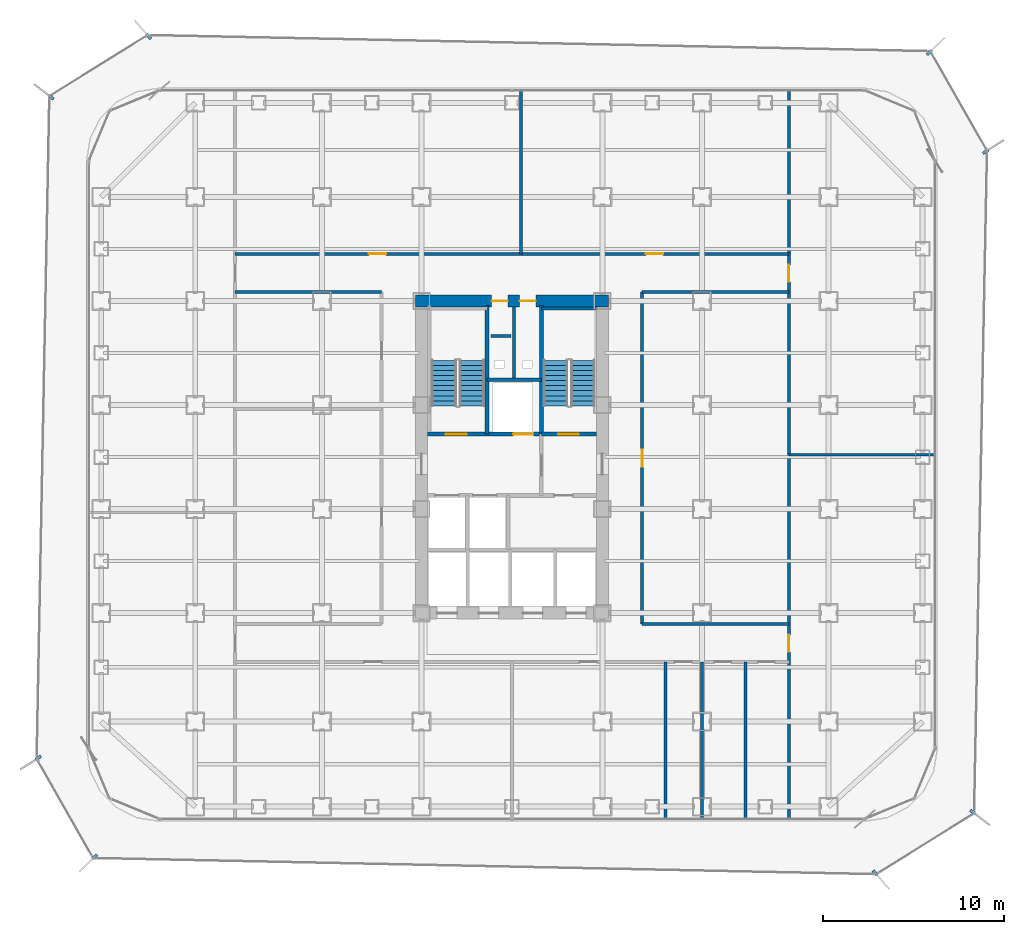
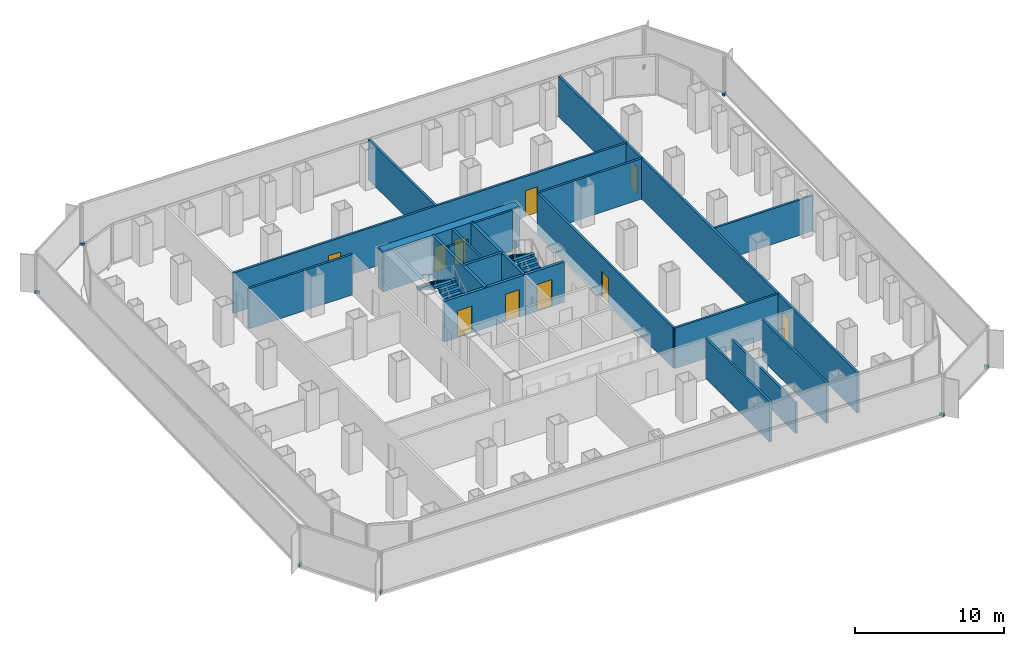
# One storey, part 18 of 21: 20 walls, 10 doors, 8 discrete accessories, 4 stair flights, 10 openings, 2 elements without a shape of their own.
"""IFC4 building model written with IfcOpenShell, lengths in metres."""

from ifc_helpers import new_model, si_unit, direction, frame, frame_2d, origin, origin_2d, place, context, subcontext, project, spatial, polyline, rectangle, outline, extrude, source, transform, mapped, material, layer, layer_set, type_object, element, fill, aggregate, save


model = new_model("IFC4")

# Units and contexts
model_context = context("Model", 3, precision=1e-05, world=origin(), true_north=direction((0.0, 1.0)))
body_context = subcontext(model_context, "Body", "Model", "MODEL_VIEW")
ifc_project = project(units=[si_unit("LENGTHUNIT", "METRE"), si_unit("AREAUNIT", "SQUARE_METRE"), si_unit("VOLUMEUNIT", "CUBIC_METRE"), si_unit("PLANEANGLEUNIT", "RADIAN"), si_unit("MASSUNIT", "GRAM", prefix="KILO")], contexts=[model_context])

# Site, building, storey
site_placement = place(None, origin())
site = spatial("IfcSite", under=ifc_project, at=site_placement, CompositionType="ELEMENT")
building_placement = place(site_placement, origin())
building = spatial("IfcBuilding", under=site, at=building_placement, Name="Kolveth Station Tower", CompositionType="ELEMENT")
storey_placement = place(building_placement, frame((0.0, 0.0, 26.10009765625)))
storey = spatial("IfcBuildingStorey", under=building, at=storey_placement, Name="L06", CompositionType="ELEMENT", Elevation=26.10009765625)

# Wall, openings, doors
ifc_material_1 = material(Name="Concrete C60/75", Category="concrete")
ifc_layer_1 = layer(ifc_material_1, 0.64990234375)
ifc_layer_set_1 = layer_set([ifc_layer_1], Name="Concrete C60/75")
wall_type_1 = type_object("IfcWallType", Name="Wall_CW-650", PredefinedType="SHEAR", material=ifc_layer_set_1)
wall_1_placement = place(storey_placement, frame((18.175048828125, 28.75, 0.0), z_axis=(0.0, 0.0, 1.0), x_axis=(1.0, 0.0, 0.0)))
wall_1 = element("IfcWall", 1, at=wall_1_placement, inside=storey, type_object=wall_type_1, Name="L06 Core RC Shear Wall N", PredefinedType="SHEAR", context=body_context, shape_type="SweptSolid", body=[
    extrude(rectangle(XDim=10.64990234375, YDim=0.64990234375, at=frame_2d((5.324951171875, 0.0))), origin(), (0.0, 0.0, 1.0), 3.31982421875),
])
opening_1_placement = place(wall_1_placement, frame((4.205078125, 0.0, 0.0)))
opening_1 = element("IfcOpeningElement", 2, at=opening_1_placement, cuts=wall_1, Name="Opening RD1", PredefinedType="OPENING", context=body_context, shape_type="SweptSolid", body=[
    extrude(rectangle(XDim=0.89990234375, YDim=2.050048828125, at=frame_2d((0.449951171875, 1.02490234375))), frame((0.0, 0.3349609375, 0.0), z_axis=(0.0, -1.0, 0.0), x_axis=(1.0, 0.0, 0.0)), (0.0, 0.0, 1.0), 0.669921875),
])
opening_2_placement = place(wall_1_placement, frame((5.7451171875, 0.0, 0.0)))
opening_2 = element("IfcOpeningElement", 3, at=opening_2_placement, cuts=wall_1, Name="Opening RD1", PredefinedType="OPENING", context=body_context, shape_type="SweptSolid", body=[
    extrude(rectangle(XDim=0.89990234375, YDim=2.050048828125, at=frame_2d((0.449951171875, 1.02490234375))), frame((0.0, 0.3349609375, 0.0), z_axis=(0.0, -1.0, 0.0), x_axis=(1.0, 0.0, 0.0)), (0.0, 0.0, 1.0), 0.669921875),
])
ifc_material_2 = material(Name="Fire-rated Steel S355 riser access leaf", Category="steel")
door_type_1 = type_object("IfcDoorType", Name="Door_RD1", OperationType="NOTDEFINED", PredefinedType="DOOR", material=ifc_material_2)
door_1_placement = place(opening_1_placement, origin())
door_1 = element("IfcDoor", 4, at=door_1_placement, inside=storey, type_object=door_type_1, Name="L06 Electrical Riser Access Door", OperationType="SINGLE_SWING_LEFT", OverallHeight=2.050048828125, OverallWidth=0.89990234375, PredefinedType="DOOR", context=body_context, shape_type="SweptSolid", body=[
    extrude(rectangle(XDim=0.89990234375, YDim=2.050048828125, at=frame_2d((0.449951171875, 1.02490234375))), frame((0.0, 0.02490234375, 0.0), z_axis=(0.0, -1.0, 0.0), x_axis=(1.0, 0.0, 0.0)), (0.0, 0.0, 1.0), 0.050048828125),
])
fill(opening_1, door_1)
door_2_placement = place(opening_2_placement, origin())
door_2 = element("IfcDoor", 5, at=door_2_placement, inside=storey, type_object=door_type_1, Name="L06 Smoke Duct Access Door", OperationType="SINGLE_SWING_RIGHT", OverallHeight=2.050048828125, OverallWidth=0.89990234375, PredefinedType="DOOR", context=body_context, shape_type="SweptSolid", body=[
    extrude(rectangle(XDim=0.89990234375, YDim=2.050048828125, at=frame_2d((0.449951171875, 1.02490234375))), frame((0.0, 0.02490234375, 0.0), z_axis=(0.0, -1.0, 0.0), x_axis=(1.0, 0.0, 0.0)), (0.0, 0.0, 1.0), 0.050048828125),
])
fill(opening_2, door_2)

# Walls
ifc_material_3 = material(Name="Acoustic double-stud gypsum partition")
ifc_layer_2 = layer(ifc_material_3, 0.1650390625)
ifc_layer_set_2 = layer_set([ifc_layer_2], Name="Acoustic double-stud gypsum partition")
wall_type_2 = type_object("IfcWallType", Name="Wall_IW-165", PredefinedType="PARTITIONING", material=ifc_layer_set_2)
wall_2_placement = place(storey_placement, frame((25.1298828125, 28.3349609375, 0.0), z_axis=(0.0, 0.0, 1.0), x_axis=(1.0, 0.0, 0.0)))
element("IfcWall", 6, at=wall_2_placement, inside=storey, type_object=wall_type_2, Name="L06 Stair Shaft Wall WL-L06-ST2-N", PredefinedType="PARTITIONING", context=body_context, shape_type="SweptSolid", body=[
    extrude(rectangle(XDim=3.03515625, YDim=0.1650390625, at=frame_2d((1.517578125, 0.0))), origin(), (0.0, 0.0, 1.0), 3.31982421875),
])
wall_3_placement = place(storey_placement, frame((23.6201171875, 24.39990234375, 0.0), z_axis=(0.0, 0.0, 1.0), x_axis=(0.0, 1.0, 0.0)))
element("IfcWall", 7, at=wall_3_placement, inside=storey, type_object=wall_type_2, Name="L06 Partition Wall WL-L06-RSR-M", PredefinedType="PARTITIONING", context=body_context, shape_type="SweptSolid", body=[
    extrude(rectangle(XDim=4.01513671875, YDim=0.1650390625, at=frame_2d((2.007568359375, 0.0))), origin(), (0.0, 0.0, 1.0), 3.31982421875),
])

# Wall, openings, doors
wall_4_placement = place(storey_placement, frame((8.199951171875, 31.35009765625, 0.0), z_axis=(0.0, 0.0, 1.0), x_axis=(1.0, 0.0, 0.0)))
wall_4 = element("IfcWall", 8, at=wall_4_placement, inside=storey, type_object=wall_type_2, Name="L06 Partition Wall WL-L06-ON", PredefinedType="PARTITIONING", context=body_context, shape_type="SweptSolid", body=[
    extrude(rectangle(XDim=30.60009765625, YDim=0.1650390625, at=frame_2d((15.300048828125, 0.0))), origin(), (0.0, 0.0, 1.0), 3.31982421875),
])
opening_3_placement = place(wall_4_placement, frame((7.39990234375, 0.0, 0.0)))
opening_3 = element("IfcOpeningElement", 9, at=opening_3_placement, cuts=wall_4, Name="Opening ID1", PredefinedType="OPENING", context=body_context, shape_type="SweptSolid", body=[
    extrude(rectangle(XDim=0.949951171875, YDim=2.14990234375, at=frame_2d((0.47509765625, 1.074951171875))), frame((0.0, 0.092529296875, 0.0), z_axis=(0.0, -1.0, 0.0), x_axis=(1.0, 0.0, 0.0)), (0.0, 0.0, 1.0), 0.18505859375),
])
opening_4_placement = place(wall_4_placement, frame((22.699951171875, 0.0, 0.0)))
opening_4 = element("IfcOpeningElement", 10, at=opening_4_placement, cuts=wall_4, Name="Opening ID1", PredefinedType="OPENING", context=body_context, shape_type="SweptSolid", body=[
    extrude(rectangle(XDim=0.949951171875, YDim=2.14990234375, at=frame_2d((0.47509765625, 1.074951171875))), frame((0.0, 0.092529296875, 0.0), z_axis=(0.0, -1.0, 0.0), x_axis=(1.0, 0.0, 0.0)), (0.0, 0.0, 1.0), 0.18505859375),
])
ifc_material_4 = material(Name="Acoustic hardwood leaf and aluminium frame", Category="wood")
door_type_2 = type_object("IfcDoorType", Name="Door_ID1", OperationType="NOTDEFINED", PredefinedType="DOOR", material=ifc_material_4)
door_3_placement = place(opening_3_placement, origin())
door_3 = element("IfcDoor", 11, at=door_3_placement, inside=storey, type_object=door_type_2, Name="L06 Open Plan Office North Door", OperationType="SINGLE_SWING_RIGHT", OverallHeight=2.14990234375, OverallWidth=0.949951171875, PredefinedType="DOOR", context=body_context, shape_type="SweptSolid", body=[
    extrude(rectangle(XDim=0.949951171875, YDim=2.14990234375, at=frame_2d((0.47509765625, 1.074951171875))), frame((0.0, 0.02490234375, 0.0), z_axis=(0.0, -1.0, 0.0), x_axis=(1.0, 0.0, 0.0)), (0.0, 0.0, 1.0), 0.050048828125),
])
fill(opening_3, door_3)
door_4_placement = place(opening_4_placement, origin())
door_4 = element("IfcDoor", 12, at=door_4_placement, inside=storey, type_object=door_type_2, Name="L06 Executive Corner Office Door", OperationType="SINGLE_SWING_LEFT", OverallHeight=2.14990234375, OverallWidth=0.949951171875, PredefinedType="DOOR", context=body_context, shape_type="SweptSolid", body=[
    extrude(rectangle(XDim=0.949951171875, YDim=2.14990234375, at=frame_2d((0.47509765625, 1.074951171875))), frame((0.0, 0.02490234375, 0.0), z_axis=(0.0, -1.0, 0.0), x_axis=(1.0, 0.0, 0.0)), (0.0, 0.0, 1.0), 0.050048828125),
])
fill(opening_4, door_4)

# Walls
for number, where, z_axis, x_axis, name in (
    (13, (30.699951171875, 10.89990234375, 0.0), (0.0, 0.0, 1.0), (1.0, 0.0, 0.0), "L06 Partition Wall WL-L06-OSET"),
    (14, (8.199951171875, 29.25, 0.0), (0.0, 0.0, 1.0), (1.0, 0.0, 0.0), "L06 Partition Wall WL-L06-ONWB"),
    (15, (30.699951171875, 29.25, 0.0), (0.0, 0.0, 1.0), (1.0, 0.0, 0.0), "L06 Partition Wall WL-L06-ONEB"),
):
    element("IfcWall", number, at=place(storey_placement, frame(where, z_axis=z_axis, x_axis=x_axis)), inside=storey, type_object=wall_type_2, Name=name, PredefinedType="PARTITIONING", context=body_context, shape_type="SweptSolid", body=[
        extrude(rectangle(XDim=8.10009765625, YDim=0.1650390625, at=frame_2d((4.050048828125, 0.0))), origin(), (0.0, 0.0, 1.0), 3.31982421875),
    ])

# Wall, opening, door
wall_5_placement = place(storey_placement, frame((30.699951171875, 10.89990234375, 0.0), z_axis=(0.0, 0.0, 1.0), x_axis=(0.0, 1.0, 0.0)))
wall_5 = element("IfcWall", 16, at=wall_5_placement, inside=storey, type_object=wall_type_2, Name="L06 Partition Wall WL-L06-OCE", PredefinedType="PARTITIONING", context=body_context, shape_type="SweptSolid", body=[
    extrude(rectangle(XDim=18.35009765625, YDim=0.1650390625, at=frame_2d((9.175048828125, 0.0))), origin(), (0.0, 0.0, 1.0), 3.31982421875),
])
opening_5_placement = place(wall_5_placement, frame((8.675048828125, 0.0, 0.0)))
opening_5 = element("IfcOpeningElement", 17, at=opening_5_placement, cuts=wall_5, Name="Opening ID1", PredefinedType="OPENING", context=body_context, shape_type="SweptSolid", body=[
    extrude(rectangle(XDim=0.949951171875, YDim=2.14990234375, at=frame_2d((0.47509765625, 1.074951171875))), frame((0.0, 0.092529296875, 0.0), z_axis=(0.0, -1.0, 0.0), x_axis=(1.0, 0.0, 0.0)), (0.0, 0.0, 1.0), 0.18505859375),
])
door_5_placement = place(opening_5_placement, origin())
door_5 = element("IfcDoor", 18, at=door_5_placement, inside=storey, type_object=door_type_2, Name="L06 Internal Meeting Room E1 Door", OperationType="SINGLE_SWING_RIGHT", OverallHeight=2.14990234375, OverallWidth=0.949951171875, PredefinedType="DOOR", context=body_context, shape_type="SweptSolid", body=[
    extrude(rectangle(XDim=0.949951171875, YDim=2.14990234375, at=frame_2d((0.47509765625, 1.074951171875))), frame((0.0, 0.02490234375, 0.0), z_axis=(0.0, -1.0, 0.0), x_axis=(1.0, 0.0, 0.0)), (0.0, 0.0, 1.0), 0.050048828125),
])
fill(opening_5, door_5)

# Wall, openings, doors
wall_6_placement = place(storey_placement, frame((38.800048828125, 0.159912109375, 0.0), z_axis=(0.0, 0.0, 1.0), x_axis=(0.0, 1.0, 0.0)))
wall_6 = element("IfcWall", 19, at=wall_6_placement, inside=storey, type_object=wall_type_2, Name="L06 Partition Wall WL-L06-OEEND", PredefinedType="PARTITIONING", context=body_context, shape_type="SweptSolid", body=[
    extrude(rectangle(XDim=40.18017578125, YDim=0.1650390625, at=frame_2d((20.090087890625, 0.0))), origin(), (0.0, 0.0, 1.0), 3.31982421875),
])
opening_6_placement = place(wall_6_placement, frame((9.18994140625, 0.0, 0.0)))
opening_6 = element("IfcOpeningElement", 20, at=opening_6_placement, cuts=wall_6, Name="Opening ID1", PredefinedType="OPENING", context=body_context, shape_type="SweptSolid", body=[
    extrude(rectangle(XDim=0.949951171875, YDim=2.14990234375, at=frame_2d((0.47509765625, 1.074951171875))), frame((0.0, 0.092529296875, 0.0), z_axis=(0.0, -1.0, 0.0), x_axis=(1.0, 0.0, 0.0)), (0.0, 0.0, 1.0), 0.18505859375),
])
opening_7_placement = place(wall_6_placement, frame((29.639892578125, 0.0, 0.0)))
opening_7 = element("IfcOpeningElement", 21, at=opening_7_placement, cuts=wall_6, Name="Opening ID1", PredefinedType="OPENING", context=body_context, shape_type="SweptSolid", body=[
    extrude(rectangle(XDim=0.949951171875, YDim=2.14990234375, at=frame_2d((0.47509765625, 1.074951171875))), frame((0.0, 0.092529296875, 0.0), z_axis=(0.0, -1.0, 0.0), x_axis=(1.0, 0.0, 0.0)), (0.0, 0.0, 1.0), 0.18505859375),
])
door_6_placement = place(opening_6_placement, origin())
door_6 = element("IfcDoor", 22, at=door_6_placement, inside=storey, type_object=door_type_2, Name="L06 East-South Wing Door", OperationType="SINGLE_SWING_RIGHT", OverallHeight=2.14990234375, OverallWidth=0.949951171875, PredefinedType="DOOR", context=body_context, shape_type="SweptSolid", body=[
    extrude(rectangle(XDim=0.949951171875, YDim=2.14990234375, at=frame_2d((0.47509765625, 1.074951171875))), frame((0.0, 0.02490234375, 0.0), z_axis=(0.0, -1.0, 0.0), x_axis=(1.0, 0.0, 0.0)), (0.0, 0.0, 1.0), 0.050048828125),
])
fill(opening_6, door_6)
door_7_placement = place(opening_7_placement, origin())
door_7 = element("IfcDoor", 23, at=door_7_placement, inside=storey, type_object=door_type_2, Name="L06 East-North Wing Door", OperationType="SINGLE_SWING_LEFT", OverallHeight=2.14990234375, OverallWidth=0.949951171875, PredefinedType="DOOR", context=body_context, shape_type="SweptSolid", body=[
    extrude(rectangle(XDim=0.949951171875, YDim=2.14990234375, at=frame_2d((0.47509765625, 1.074951171875))), frame((0.0, 0.02490234375, 0.0), z_axis=(0.0, -1.0, 0.0), x_axis=(1.0, 0.0, 0.0)), (0.0, 0.0, 1.0), 0.050048828125),
])
fill(opening_7, door_7)

# Walls
wall_7_placement = place(storey_placement, frame((32.0, 0.159912109375, 0.0), z_axis=(0.0, 0.0, 1.0), x_axis=(0.0, 1.0, 0.0)))
element("IfcWall", 24, at=wall_7_placement, inside=storey, type_object=wall_type_2, Name="L06 Partition Wall WL-L06-OS-P2", PredefinedType="PARTITIONING", context=body_context, shape_type="SweptSolid", body=[
    extrude(rectangle(XDim=8.64013671875, YDim=0.1650390625, at=frame_2d((4.320068359375, 0.0))), origin(), (0.0, 0.0, 1.0), 3.31982421875),
])
wall_8_placement = place(storey_placement, frame((34.0, 0.159912109375, 0.0), z_axis=(0.0, 0.0, 1.0), x_axis=(0.0, 1.0, 0.0)))
element("IfcWall", 25, at=wall_8_placement, inside=storey, type_object=wall_type_2, Name="L06 Partition Wall WL-L06-OS-P3", PredefinedType="PARTITIONING", context=body_context, shape_type="SweptSolid", body=[
    extrude(rectangle(XDim=8.64013671875, YDim=0.1650390625, at=frame_2d((4.320068359375, 0.0))), origin(), (0.0, 0.0, 1.0), 2.538818359375),
])
wall_9_placement = place(storey_placement, frame((36.39990234375, 0.159912109375, 0.0), z_axis=(0.0, 0.0, 1.0), x_axis=(0.0, 1.0, 0.0)))
element("IfcWall", 26, at=wall_9_placement, inside=storey, type_object=wall_type_2, Name="L06 Partition Wall WL-L06-OS-P4", PredefinedType="PARTITIONING", context=body_context, shape_type="SweptSolid", body=[
    extrude(rectangle(XDim=8.64013671875, YDim=0.1650390625, at=frame_2d((4.320068359375, 0.0))), origin(), (0.0, 0.0, 1.0), 3.31982421875),
])
wall_10_placement = place(storey_placement, frame((24.0, 31.35009765625, 0.0), z_axis=(0.0, 0.0, 1.0), x_axis=(0.0, 1.0, 0.0)))
element("IfcWall", 27, at=wall_10_placement, inside=storey, type_object=wall_type_2, Name="L06 Partition Wall WL-L06-ON-P1", PredefinedType="PARTITIONING", context=body_context, shape_type="SweptSolid", body=[
    extrude(rectangle(XDim=8.989990234375, YDim=0.1650390625, at=frame_2d((4.4951171875, 0.0))), origin(), (0.0, 0.0, 1.0), 3.31982421875),
])
wall_11_placement = place(storey_placement, frame((38.800048828125, 20.25, 0.0), z_axis=(0.0, 0.0, 1.0), x_axis=(1.0, 0.0, 0.0)))
element("IfcWall", 28, at=wall_11_placement, inside=storey, type_object=wall_type_2, Name="L06 Partition Wall WL-L06-OEM", PredefinedType="PARTITIONING", context=body_context, shape_type="SweptSolid", body=[
    extrude(rectangle(XDim=8.0400390625, YDim=0.1650390625, at=frame_2d((4.02001953125, 0.0))), origin(), (0.0, 0.0, 1.0), 2.89794921875),
])
wall_12_placement = place(storey_placement, frame((22.35009765625, 26.800048828125, 0.0), z_axis=(0.0, 0.0, 1.0), x_axis=(1.0, 0.0, 0.0)))
element("IfcWall", 29, at=wall_12_placement, inside=storey, type_object=wall_type_2, Name="L06 Acoustic Riser Dry-Lining Wall", PredefinedType="PARTITIONING", context=body_context, shape_type="SweptSolid", body=[
    extrude(rectangle(XDim=1.099853515625, YDim=0.1650390625, at=frame_2d((0.5498046875, 0.0))), origin(), (0.0, 0.0, 1.0), 3.31982421875),
])
ifc_material_5 = material(Name="Acoustic fire-rated gypsum blockwork", Category="masonry")
ifc_layer_3 = layer(ifc_material_5, 0.199951171875)
ifc_layer_set_3 = layer_set([ifc_layer_3], Name="Acoustic fire-rated gypsum blockwork")
wall_type_3 = type_object("IfcWallType", Name="Wall_IW-200", PredefinedType="PARTITIONING", material=ifc_layer_set_3)
wall_13_placement = place(storey_placement, frame((22.110107421875, 24.39990234375, 0.0), z_axis=(0.0, 0.0, 1.0), x_axis=(1.0, 0.0, 0.0)))
element("IfcWall", 30, at=wall_13_placement, inside=storey, type_object=wall_type_3, Name="L06 Partition Wall WL-L06-RSR-S", PredefinedType="PARTITIONING", context=body_context, shape_type="SweptSolid", body=[
    extrude(rectangle(XDim=3.019775390625, YDim=0.199951171875, at=frame_2d((1.509765625, 0.0))), origin(), (0.0, 0.0, 1.0), 3.31982421875),
])
ifc_material_6 = material(Name="Concrete C40/50", Category="concrete")
ifc_layer_4 = layer(ifc_material_6, 0.219970703125)
ifc_layer_set_4 = layer_set([ifc_layer_4], Name="Concrete C40/50")
wall_type_4 = type_object("IfcWallType", Name="Wall_IW-220", PredefinedType="SOLIDWALL", material=ifc_layer_set_4)
for number, where, z_axis, x_axis, name in (
    (31, (22.110107421875, 21.389892578125, 0.0), (0.0, 0.0, 1.0), (0.0, 1.0, 0.0), "L06 Stair Shaft Wall WL-L06-ST1-E"),
    (32, (25.1298828125, 21.389892578125, 0.0), (0.0, 0.0, 1.0), (0.0, 1.0, 0.0), "L06 Stair Shaft Wall WL-L06-ST2-W"),
):
    element("IfcWall", number, at=place(storey_placement, frame(where, z_axis=z_axis, x_axis=x_axis)), inside=storey, type_object=wall_type_4, Name=name, PredefinedType="SOLIDWALL", context=body_context, shape_type="SweptSolid", body=[
        extrude(rectangle(XDim=7.110107421875, YDim=0.219970703125, at=frame_2d((3.55517578125, 0.0))), origin(), (0.0, 0.0, 1.0), 3.31982421875),
    ])

# Wall, openings, doors
wall_14_placement = place(storey_placement, frame((18.8349609375, 21.389892578125, 0.0), z_axis=(0.0, 0.0, 1.0), x_axis=(1.0, 0.0, 0.0)))
wall_14 = element("IfcWall", 33, at=wall_14_placement, inside=storey, type_object=wall_type_4, Name="L06 Stair Shaft Wall WL-L06-ST1-S", PredefinedType="SOLIDWALL", context=body_context, shape_type="SweptSolid", body=[
    extrude(rectangle(XDim=6.294921875, YDim=0.219970703125, at=frame_2d((3.1474609375, 0.0))), origin(), (0.0, 0.0, 1.0), 3.31982421875),
])
opening_8_placement = place(wall_14_placement, frame((1.014892578125, 0.0, 0.0)))
opening_8 = element("IfcOpeningElement", 34, at=opening_8_placement, cuts=wall_14, Name="Opening FD1", PredefinedType="OPENING", context=body_context, shape_type="SweptSolid", body=[
    extrude(rectangle(XDim=1.14990234375, YDim=2.199951171875, at=frame_2d((0.574951171875, 1.10009765625))), frame((0.0, 0.119873046875, 0.0), z_axis=(0.0, -1.0, 0.0), x_axis=(1.0, 0.0, 0.0)), (0.0, 0.0, 1.0), 0.239990234375),
])
opening_9_placement = place(wall_14_placement, frame((4.7451171875, 0.0, 0.0)))
opening_9 = element("IfcOpeningElement", 35, at=opening_9_placement, cuts=wall_14, Name="Opening LD1", PredefinedType="OPENING", context=body_context, shape_type="SweptSolid", body=[
    extrude(rectangle(XDim=1.10009765625, YDim=2.25, at=frame_2d((0.550048828125, 1.125))), frame((0.0, 0.119873046875, 0.0), z_axis=(0.0, -1.0, 0.0), x_axis=(1.0, 0.0, 0.0)), (0.0, 0.0, 1.0), 0.239990234375),
])
ifc_material_7 = material(Name="Fire-rated Steel S355 leaf and frame", Category="steel")
door_type_3 = type_object("IfcDoorType", Name="Door_FD1", OperationType="NOTDEFINED", PredefinedType="DOOR", material=ifc_material_7)
door_8_placement = place(opening_8_placement, frame((1.14990234375, 0.0, 0.0), z_axis=(0.0, 0.0, 1.0), x_axis=(-1.0, 0.0, 0.0)))
door_8 = element("IfcDoor", 36, at=door_8_placement, inside=storey, type_object=door_type_3, Name="L06 Stair ST1 Fire Door", OperationType="SINGLE_SWING_LEFT", OverallHeight=2.199951171875, OverallWidth=1.14990234375, PredefinedType="DOOR", context=body_context, shape_type="SweptSolid", body=[
    extrude(rectangle(XDim=1.14990234375, YDim=2.199951171875, at=frame_2d((0.574951171875, 1.10009765625))), frame((0.0, 0.02490234375, 0.0), z_axis=(0.0, -1.0, 0.0), x_axis=(1.0, 0.0, 0.0)), (0.0, 0.0, 1.0), 0.050048828125),
])
fill(opening_8, door_8)
ifc_material_8 = material(Name="Brushed stainless steel sliding landing doors", Category="steel")
door_type_4 = type_object("IfcDoorType", Name="Door_LD1", OperationType="NOTDEFINED", PredefinedType="DOOR", material=ifc_material_8)
door_9_placement = place(opening_9_placement, frame((1.10009765625, 0.0, 0.0), z_axis=(0.0, 0.0, 1.0), x_axis=(-1.0, 0.0, 0.0)))
door_9 = element("IfcDoor", 37, at=door_9_placement, inside=storey, type_object=door_type_4, Name="L06 Service Lift SV1 Landing Door", OperationType="DOUBLE_DOOR_SLIDING", OverallHeight=2.25, OverallWidth=1.10009765625, PredefinedType="DOOR", context=body_context, shape_type="SweptSolid", body=[
    extrude(rectangle(XDim=1.10009765625, YDim=2.25, at=frame_2d((0.550048828125, 1.125))), frame((0.0, 0.02490234375, 0.0), z_axis=(0.0, -1.0, 0.0), x_axis=(1.0, 0.0, 0.0)), (0.0, 0.0, 1.0), 0.050048828125),
])
fill(opening_9, door_9)

# Wall, opening, door
wall_15_placement = place(storey_placement, frame((25.1298828125, 21.389892578125, 0.0), z_axis=(0.0, 0.0, 1.0), x_axis=(1.0, 0.0, 0.0)))
wall_15 = element("IfcWall", 38, at=wall_15_placement, inside=storey, type_object=wall_type_4, Name="L06 Stair Shaft Wall WL-L06-ST2-S", PredefinedType="SOLIDWALL", context=body_context, shape_type="SweptSolid", body=[
    extrude(rectangle(XDim=3.03515625, YDim=0.219970703125, at=frame_2d((1.517578125, 0.0))), origin(), (0.0, 0.0, 1.0), 3.31982421875),
])
opening_10_placement = place(wall_15_placement, frame((0.919921875, 0.0, 0.0)))
opening_10 = element("IfcOpeningElement", 39, at=opening_10_placement, cuts=wall_15, Name="Opening FD1", PredefinedType="OPENING", context=body_context, shape_type="SweptSolid", body=[
    extrude(rectangle(XDim=1.14990234375, YDim=2.199951171875, at=frame_2d((0.574951171875, 1.10009765625))), frame((0.0, 0.119873046875, 0.0), z_axis=(0.0, -1.0, 0.0), x_axis=(1.0, 0.0, 0.0)), (0.0, 0.0, 1.0), 0.239990234375),
])
door_10_placement = place(opening_10_placement, frame((1.14990234375, 0.0, 0.0), z_axis=(0.0, 0.0, 1.0), x_axis=(-1.0, 0.0, 0.0)))
door_10 = element("IfcDoor", 40, at=door_10_placement, inside=storey, type_object=door_type_3, Name="L06 Stair ST2 Fire Door", OperationType="SINGLE_SWING_RIGHT", OverallHeight=2.199951171875, OverallWidth=1.14990234375, PredefinedType="DOOR", context=body_context, shape_type="SweptSolid", body=[
    extrude(rectangle(XDim=1.14990234375, YDim=2.199951171875, at=frame_2d((0.574951171875, 1.10009765625))), frame((0.0, 0.02490234375, 0.0), z_axis=(0.0, -1.0, 0.0), x_axis=(1.0, 0.0, 0.0)), (0.0, 0.0, 1.0), 0.050048828125),
])
fill(opening_10, door_10)

# Stair, stair flights
stair_type_1 = type_object("IfcStairType", Name="Stair_ST1", PredefinedType="HALF_TURN_STAIR", material=ifc_material_6)
stair_1_placement = place(storey_placement, origin())
stair_1 = element("IfcStair", 41, at=stair_1_placement, inside=storey, type_object=stair_type_1, Name="L06 Tower Exit Stair ST1", PredefinedType="HALF_TURN_STAIR")
ifc_layer_5 = layer(ifc_material_6, 0.179931640625)
ifc_layer_set_5 = layer_set([ifc_layer_5], Name="Concrete C40/50")
stair_flight_type_1 = type_object("IfcStairFlightType", Name="Flight_ST1", PredefinedType="STRAIGHT", material=ifc_layer_set_5)
stair_flight_1_placement = place(storey_placement, frame((21.300048828125, 22.949951171875, 0.0), z_axis=(0.0, 0.0, 1.0), x_axis=(0.0, 1.0, 0.0)))
stair_flight_1 = element("IfcStairFlight", 42, at=stair_flight_1_placement, type_object=stair_flight_type_1, Name="ST1 flight 1", NumberOfRisers=10, NumberOfTreads=9, PredefinedType="STRAIGHT", RiserHeight=0.18, TreadLength=0.28, context=body_context, shape_type="SweptSolid", body=[
    extrude(outline(polyline([(0.0, 0.0), (0.0, 0.179931640625), (0.280029296875, 0.179931640625), (0.280029296875, 0.360107421875), (0.56005859375, 0.360107421875), (0.56005859375, 0.5400390625), (0.840087890625, 0.5400390625), (0.840087890625, 0.719970703125), (1.1201171875, 0.719970703125), (1.1201171875, 0.89990234375), (1.39990234375, 0.89990234375), (1.39990234375, 1.080078125), (1.679931640625, 1.080078125), (1.679931640625, 1.260009765625), (1.9599609375, 1.260009765625), (1.9599609375, 1.43994140625), (2.239990234375, 1.43994140625), (2.239990234375, 1.6201171875), (2.52001953125, 1.6201171875), (2.52001953125, 1.800048828125), (2.52001953125, 1.44189453125), (0.277099609375, 0.0), (0.0, 0.0)])), frame((0.0, 0.699951171875, 0.0), z_axis=(0.0, -1.0, 0.0), x_axis=(1.0, 0.0, 0.0)), (0.0, 0.0, 1.0), 1.39990234375),
])
stair_flight_2_placement = place(storey_placement, frame((19.739990234375, 25.469970703125, 1.7998046875), z_axis=(0.0, 0.0, 1.0), x_axis=(0.0, -1.0, 0.0)))
stair_flight_2 = element("IfcStairFlight", 43, at=stair_flight_2_placement, type_object=stair_flight_type_1, Name="ST1 flight 2", NumberOfRisers=10, NumberOfTreads=9, PredefinedType="STRAIGHT", RiserHeight=0.18, TreadLength=0.28, context=body_context, shape_type="SweptSolid", body=[
    extrude(outline(polyline([(0.0, 0.0), (0.0, 0.179931640625), (0.280029296875, 0.179931640625), (0.280029296875, 0.360107421875), (0.56005859375, 0.360107421875), (0.56005859375, 0.5400390625), (0.840087890625, 0.5400390625), (0.840087890625, 0.719970703125), (1.1201171875, 0.719970703125), (1.1201171875, 0.89990234375), (1.39990234375, 0.89990234375), (1.39990234375, 1.080078125), (1.679931640625, 1.080078125), (1.679931640625, 1.260009765625), (1.9599609375, 1.260009765625), (1.9599609375, 1.43994140625), (2.239990234375, 1.43994140625), (2.239990234375, 1.6201171875), (2.52001953125, 1.6201171875), (2.52001953125, 1.800048828125), (2.52001953125, 1.44189453125), (0.277099609375, 0.0), (0.0, 0.0)])), frame((0.0, 0.699951171875, 0.0), z_axis=(0.0, -1.0, 0.0), x_axis=(1.0, 0.0, 0.0)), (0.0, 0.0, 1.0), 1.39990234375),
])
aggregate(stair_1, [stair_flight_1, stair_flight_2])

stair_type_2 = type_object("IfcStairType", Name="Stair_ST2", PredefinedType="HALF_TURN_STAIR", material=ifc_material_6)
stair_2_placement = place(storey_placement, origin())
stair_2 = element("IfcStair", 44, at=stair_2_placement, inside=storey, type_object=stair_type_2, Name="L06 Tower Exit Stair ST2", PredefinedType="HALF_TURN_STAIR")
ifc_layer_6 = layer(ifc_material_6, 0.179931640625)
ifc_layer_set_6 = layer_set([ifc_layer_6], Name="Concrete C40/50")
stair_flight_type_2 = type_object("IfcStairFlightType", Name="Flight_ST2", PredefinedType="STRAIGHT", material=ifc_layer_set_6)
stair_flight_3_placement = place(storey_placement, frame((27.425048828125, 22.949951171875, 0.0), z_axis=(0.0, 0.0, 1.0), x_axis=(0.0, 1.0, 0.0)))
stair_flight_3 = element("IfcStairFlight", 45, at=stair_flight_3_placement, type_object=stair_flight_type_2, Name="ST2 flight 1", NumberOfRisers=10, NumberOfTreads=9, PredefinedType="STRAIGHT", RiserHeight=0.18, TreadLength=0.28, context=body_context, shape_type="SweptSolid", body=[
    extrude(outline(polyline([(0.0, 0.0), (0.0, 0.179931640625), (0.280029296875, 0.179931640625), (0.280029296875, 0.360107421875), (0.56005859375, 0.360107421875), (0.56005859375, 0.5400390625), (0.840087890625, 0.5400390625), (0.840087890625, 0.719970703125), (1.1201171875, 0.719970703125), (1.1201171875, 0.89990234375), (1.39990234375, 0.89990234375), (1.39990234375, 1.080078125), (1.679931640625, 1.080078125), (1.679931640625, 1.260009765625), (1.9599609375, 1.260009765625), (1.9599609375, 1.43994140625), (2.239990234375, 1.43994140625), (2.239990234375, 1.6201171875), (2.52001953125, 1.6201171875), (2.52001953125, 1.800048828125), (2.52001953125, 1.44189453125), (0.277099609375, 0.0), (0.0, 0.0)])), frame((0.0, 0.675048828125, 0.0), z_axis=(0.0, -1.0, 0.0), x_axis=(1.0, 0.0, 0.0)), (0.0, 0.0, 1.0), 1.35009765625),
])
stair_flight_4_placement = place(storey_placement, frame((25.9150390625, 25.469970703125, 1.7998046875), z_axis=(0.0, 0.0, 1.0), x_axis=(0.0, -1.0, 0.0)))
stair_flight_4 = element("IfcStairFlight", 46, at=stair_flight_4_placement, type_object=stair_flight_type_2, Name="ST2 flight 2", NumberOfRisers=10, NumberOfTreads=9, PredefinedType="STRAIGHT", RiserHeight=0.18, TreadLength=0.28, context=body_context, shape_type="SweptSolid", body=[
    extrude(outline(polyline([(0.0, 0.0), (0.0, 0.179931640625), (0.280029296875, 0.179931640625), (0.280029296875, 0.360107421875), (0.56005859375, 0.360107421875), (0.56005859375, 0.5400390625), (0.840087890625, 0.5400390625), (0.840087890625, 0.719970703125), (1.1201171875, 0.719970703125), (1.1201171875, 0.89990234375), (1.39990234375, 0.89990234375), (1.39990234375, 1.080078125), (1.679931640625, 1.080078125), (1.679931640625, 1.260009765625), (1.9599609375, 1.260009765625), (1.9599609375, 1.43994140625), (2.239990234375, 1.43994140625), (2.239990234375, 1.6201171875), (2.52001953125, 1.6201171875), (2.52001953125, 1.800048828125), (2.52001953125, 1.44189453125), (0.277099609375, 0.0), (0.0, 0.0)])), frame((0.0, 0.675048828125, 0.0), z_axis=(0.0, -1.0, 0.0), x_axis=(1.0, 0.0, 0.0)), (0.0, 0.0, 1.0), 1.35009765625),
])
aggregate(stair_2, [stair_flight_3, stair_flight_4])

# Discrete accessories
ifc_material_9 = material(Name="Steel S355", Category="steel")
discrete_accessory_type = type_object("IfcDiscreteAccessoryType", Name="Bracket_BK1", PredefinedType="BRACKET", material=ifc_material_9)
shared_shape = source(origin(), body_context, "Body", "SweptSolid", [
    extrude(rectangle(XDim=0.35009765625, YDim=0.159912109375, at=origin_2d()), origin(), (0.0, 0.0, 1.0), 0.219970703125),
])
for number, where, z_axis, x_axis, name in (
    (47, (43.572021484375, -2.862060546875, -0.06005859375), (0.0, 0.0, 1.0), (0.655663774065, -0.755052988457, 0.0), "L06 Double-Skin Radial Tie Bracket 1"),
    (48, (48.972900390625, 0.4970703125, -0.06005859375), (0.0, 0.0, 1.0), (0.790261972801, -0.612769136253, 0.0), "L06 Double-Skin Radial Tie Bracket 2"),
    (49, (49.679931640625, 37.0029296875, -0.06005859375), (0.0, 0.0, 1.0), (0.842358350935, 0.538917812481, 0.0), "L06 Double-Skin Radial Tie Bracket 3"),
    (50, (46.56201171875, 42.47607421875, -0.06005859375), (0.0, 0.0, 1.0), (0.720066850328, 0.69390469883, 0.0), "L06 Double-Skin Radial Tie Bracket 4"),
    (51, (3.428955078125, 43.360107421875, -0.06005859375), (0.0, 0.0, 1.0), (-0.655663774065, 0.755052988457, 0.0), "L06 Double-Skin Radial Tie Bracket 5"),
    (52, (-1.97802734375, 40.006103515625, -0.06005859375), (0.0, 0.0, 1.0), (-0.790261972801, 0.612769136253, 0.0), "L06 Double-Skin Radial Tie Bracket 6"),
    (53, (-2.674072265625, 3.498046875, -0.06005859375), (0.0, 0.0, 1.0), (-0.842264279204, -0.539064823539, 0.0), "L06 Double-Skin Radial Tie Bracket 7"),
    (54, (0.43798828125, -1.97607421875, -0.06005859375), (0.0, 0.0, 1.0), (-0.720066850328, -0.69390469883, 0.0), "L06 Double-Skin Radial Tie Bracket 8"),
):
    element("IfcDiscreteAccessory", number, at=place(storey_placement, frame(where, z_axis=z_axis, x_axis=x_axis)), inside=storey, type_object=discrete_accessory_type, Name=name, PredefinedType="BRACKET", context=body_context, shape_type="MappedRepresentation", body=[
        mapped(shared_shape, transform((0.0, 0.0, 0.0), x_axis=(1.0, 0.0, 0.0), y_axis=(0.0, 1.0, 0.0), z_axis=(0.0, 0.0, 1.0), scale=1.0)),
    ])

save(model, "model.ifc")
